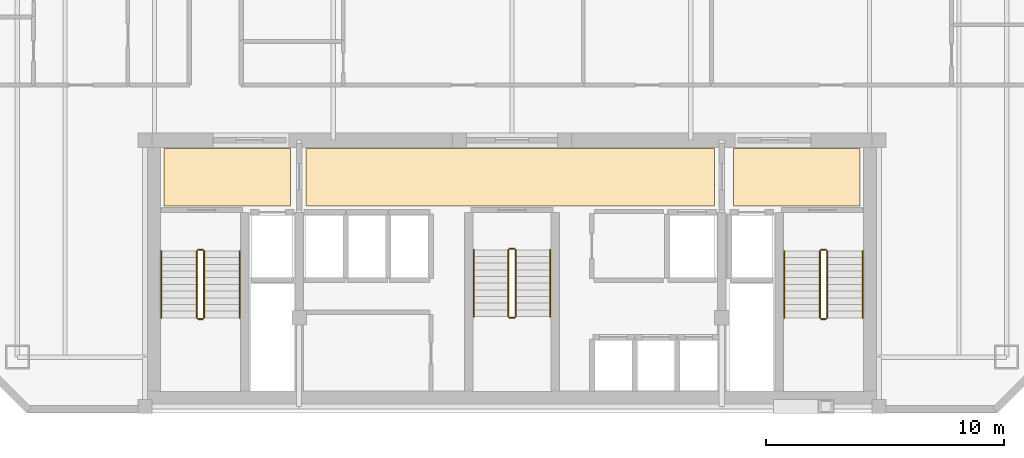
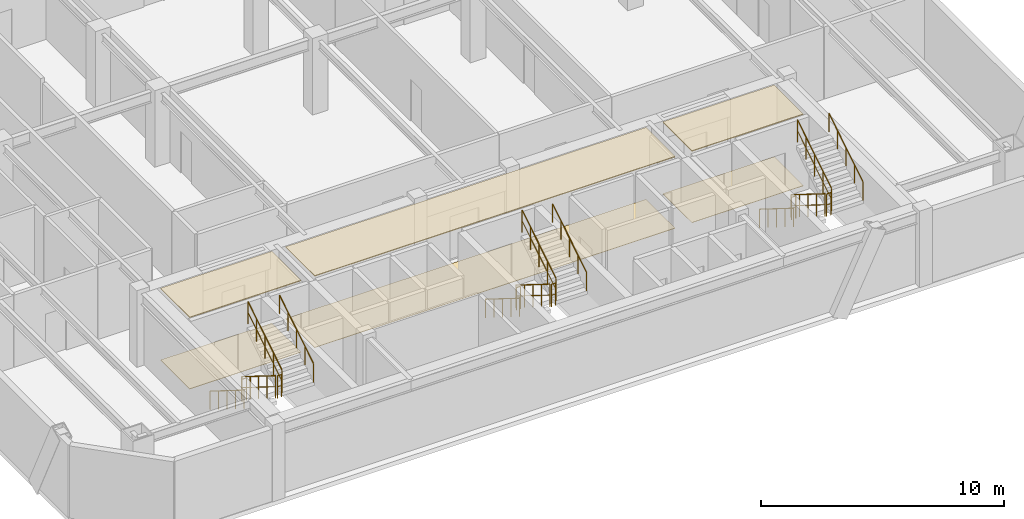
# One storey, part 7 of 7: 18 railings, 6 coverings.
"""IFC4 building model written with IfcOpenShell, lengths in metres."""

from ifc_helpers import new_model, si_unit, direction, frame, origin, origin_2d, place, context, subcontext, project, spatial, polyline, circle, outline, extrude, material, layer, layer_set, type_object, element, save


model = new_model("IFC4")

# Units and contexts
model_context = context("Model", 3, precision=1e-05, world=origin(), true_north=direction((0.0, 1.0)))
body_context = subcontext(model_context, "Body", "Model", "MODEL_VIEW")
ifc_project = project(units=[si_unit("LENGTHUNIT", "METRE"), si_unit("AREAUNIT", "SQUARE_METRE"), si_unit("VOLUMEUNIT", "CUBIC_METRE"), si_unit("PLANEANGLEUNIT", "RADIAN"), si_unit("MASSUNIT", "GRAM", prefix="KILO")], contexts=[model_context])

# Site, building, storey
site_placement = place(None, origin())
site = spatial("IfcSite", under=ifc_project, at=site_placement, CompositionType="ELEMENT")
building_placement = place(site_placement, origin())
building = spatial("IfcBuilding", under=site, at=building_placement, Name="Ventersveld Concourse Tower", CompositionType="ELEMENT")
storey_placement = place(building_placement, frame((0.0, 0.0, 211.85009765625)))
storey = spatial("IfcBuildingStorey", under=building, at=storey_placement, Name="L52", CompositionType="ELEMENT", Elevation=211.85009765625)

# Coverings
ifc_material_1 = material(Name="Mineral-fibre acoustic ceiling tile", Category="gypsum")
ifc_layer_1 = layer(ifc_material_1, 0.0400390625)
ifc_layer_set_1 = layer_set([ifc_layer_1], Name="Mineral-fibre acoustic ceiling tile")
covering_type_1 = type_object("IfcCoveringType", Name="COV-CEIL-ACOUSTIC", PredefinedType="CEILING", material=ifc_layer_set_1)
covering_1_placement = place(storey_placement, frame((0.0, 0.0, 3.58984375)))
element("IfcCovering", 1, at=covering_1_placement, inside=storey, type_object=covering_type_1, Name="L52 North Lift Lobby Acoustic Ceiling", PredefinedType="CEILING", context=body_context, shape_type="SweptSolid", body=[
    extrude(outline(polyline([(20.10009765625, 8.699951171875), (37.25, 8.699951171875), (37.25, 11.10009765625), (20.10009765625, 11.10009765625), (20.10009765625, 8.699951171875)])), origin(), (0.0, 0.0, 1.0), 0.0400390625),
])
covering_2_placement = place(storey_placement, frame((0.0, 0.0, 3.58984375)))
element("IfcCovering", 2, at=covering_2_placement, inside=storey, type_object=covering_type_1, Name="L52 West Firefighting Lobby Acoustic Ceiling", PredefinedType="CEILING", context=body_context, shape_type="SweptSolid", body=[
    extrude(outline(polyline([(14.14990234375, 8.699951171875), (19.449951171875, 8.699951171875), (19.449951171875, 11.10009765625), (14.14990234375, 11.10009765625), (14.14990234375, 8.699951171875)])), origin(), (0.0, 0.0, 1.0), 0.0400390625),
])
covering_3_placement = place(storey_placement, frame((0.0, 0.0, 3.58984375)))
element("IfcCovering", 3, at=covering_3_placement, inside=storey, type_object=covering_type_1, Name="L52 East Firefighting Lobby Acoustic Ceiling", PredefinedType="CEILING", context=body_context, shape_type="SweptSolid", body=[
    extrude(outline(polyline([(38.050048828125, 8.699951171875), (43.35009765625, 8.699951171875), (43.35009765625, 11.10009765625), (38.050048828125, 11.10009765625), (38.050048828125, 8.699951171875)])), origin(), (0.0, 0.0, 1.0), 0.0400390625),
])
ifc_material_2 = material(Name="Polished Highveld granite terrazzo", Category="masonry")
ifc_layer_2 = layer(ifc_material_2, 0.02001953125)
ifc_layer_set_2 = layer_set([ifc_layer_2], Name="Polished Highveld granite terrazzo")
covering_type_2 = type_object("IfcCoveringType", Name="COV-FLOOR-TERRAZZO", PredefinedType="FLOORING", material=ifc_layer_set_2)
covering_4_placement = place(storey_placement, origin())
element("IfcCovering", 4, at=covering_4_placement, inside=storey, type_object=covering_type_2, Name="L52 North Lift Lobby Terrazzo Flooring", PredefinedType="FLOORING", context=body_context, shape_type="SweptSolid", body=[
    extrude(outline(polyline([(20.10009765625, 8.699951171875), (37.25, 8.699951171875), (37.25, 11.10009765625), (20.10009765625, 11.10009765625), (20.10009765625, 8.699951171875)])), origin(), (0.0, 0.0, 1.0), 0.02001953125),
])
covering_5_placement = place(storey_placement, origin())
element("IfcCovering", 5, at=covering_5_placement, inside=storey, type_object=covering_type_2, Name="L52 West Firefighting Lobby Terrazzo Flooring", PredefinedType="FLOORING", context=body_context, shape_type="SweptSolid", body=[
    extrude(outline(polyline([(14.14990234375, 8.699951171875), (19.449951171875, 8.699951171875), (19.449951171875, 11.10009765625), (14.14990234375, 11.10009765625), (14.14990234375, 8.699951171875)])), origin(), (0.0, 0.0, 1.0), 0.02001953125),
])
covering_6_placement = place(storey_placement, origin())
element("IfcCovering", 6, at=covering_6_placement, inside=storey, type_object=covering_type_2, Name="L52 East Firefighting Lobby Terrazzo Flooring", PredefinedType="FLOORING", context=body_context, shape_type="SweptSolid", body=[
    extrude(outline(polyline([(38.050048828125, 8.699951171875), (43.35009765625, 8.699951171875), (43.35009765625, 11.10009765625), (38.050048828125, 11.10009765625), (38.050048828125, 8.699951171875)])), origin(), (0.0, 0.0, 1.0), 0.02001953125),
])

# Railings
ifc_material_3 = material(Name="Brushed stainless steel 316", Category="steel")
railing_type_1 = type_object("IfcRailingType", Name="GD-BAL-115", PredefinedType="GUARDRAIL", material=ifc_material_3)
railing_1_placement = place(storey_placement, frame((15.530029296875, 6.800048828125, 0.1748046875)))
element("IfcRailing", 7, at=railing_1_placement, inside=storey, type_object=railing_type_1, Name="L52 ST-01 stair guard 1", PredefinedType="GUARDRAIL", context=body_context, shape_type="SweptSolid", body=[
    extrude(circle(Radius=0.02392578125, at=origin_2d()), frame((0.0, 0.0, 1.1259765625), z_axis=(0.0, -0.848002457836, 0.529992293815), x_axis=(1.0, 0.0, 0.0)), (0.0, 0.0, 1.0), 3.302001953125),
    extrude(circle(Radius=0.01611328125, at=origin_2d()), frame((0.0, 0.0, 0.574951171875), z_axis=(0.0, -0.848002457836, 0.529992293815), x_axis=(1.0, 0.0, 0.0)), (0.0, 0.0, 1.0), 3.302001953125),
    extrude(circle(Radius=0.02099609375, at=origin_2d()), origin(), (0.0, 0.0, 1.0), 1.101806640625),
    extrude(circle(Radius=0.02099609375, at=origin_2d()), frame((0.0, -0.699951171875, 0.4375)), (0.0, 0.0, 1.0), 1.101806640625),
    extrude(circle(Radius=0.02099609375, at=origin_2d()), frame((0.0, -1.39990234375, 0.875)), (0.0, 0.0, 1.0), 1.101806640625),
    extrude(circle(Radius=0.02099609375, at=origin_2d()), frame((0.0, -2.10009765625, 1.3125)), (0.0, 0.0, 1.0), 1.101806640625),
    extrude(circle(Radius=0.02099609375, at=origin_2d()), frame((0.0, -2.800048828125, 1.75)), (0.0, 0.0, 1.0), 1.101806640625),
])
railing_2_placement = place(storey_placement, frame((15.580078125, 3.949951171875, 1.9248046875)))
element("IfcRailing", 8, at=railing_2_placement, inside=storey, type_object=railing_type_1, Name="L52 ST-01 stair guard 2", PredefinedType="GUARDRAIL", context=body_context, shape_type="SweptSolid", body=[
    extrude(circle(Radius=0.02392578125, at=origin_2d()), frame((0.0, 0.0, 1.1259765625), z_axis=(1.0, 0.0, 0.0), x_axis=(0.0, 1.0, 0.0)), (0.0, 0.0, 1.0), 0.199951171875),
    extrude(circle(Radius=0.01611328125, at=origin_2d()), frame((0.0, 0.0, 0.574951171875), z_axis=(1.0, 0.0, 0.0), x_axis=(0.0, 1.0, 0.0)), (0.0, 0.0, 1.0), 0.199951171875),
    extrude(circle(Radius=0.02099609375, at=origin_2d()), origin(), (0.0, 0.0, 1.0), 1.101806640625),
    extrude(circle(Radius=0.02099609375, at=origin_2d()), frame((0.199951171875, 0.0, 0.0)), (0.0, 0.0, 1.0), 1.101806640625),
])
railing_3_placement = place(storey_placement, frame((15.830078125, 4.0, 2.099853515625)))
element("IfcRailing", 9, at=railing_3_placement, inside=storey, type_object=railing_type_1, Name="L52 ST-01 stair guard 3", PredefinedType="GUARDRAIL", context=body_context, shape_type="SweptSolid", body=[
    extrude(circle(Radius=0.02392578125, at=origin_2d()), frame((0.0, 0.0, 1.1259765625), z_axis=(0.0, 0.848002457836, 0.529992293815), x_axis=(-1.0, 0.0, 0.0)), (0.0, 0.0, 1.0), 3.302001953125),
    extrude(circle(Radius=0.01611328125, at=origin_2d()), frame((0.0, 0.0, 0.574951171875), z_axis=(0.0, 0.848002457836, 0.529992293815), x_axis=(-1.0, 0.0, 0.0)), (0.0, 0.0, 1.0), 3.302001953125),
    extrude(circle(Radius=0.02099609375, at=origin_2d()), origin(), (0.0, 0.0, 1.0), 1.101806640625),
    extrude(circle(Radius=0.02099609375, at=origin_2d()), frame((0.0, 0.699951171875, 0.4375)), (0.0, 0.0, 1.0), 1.101806640625),
    extrude(circle(Radius=0.02099609375, at=origin_2d()), frame((0.0, 1.39990234375, 0.875)), (0.0, 0.0, 1.0), 1.101806640625),
    extrude(circle(Radius=0.02099609375, at=origin_2d()), frame((0.0, 2.10009765625, 1.3125)), (0.0, 0.0, 1.0), 1.101806640625),
    extrude(circle(Radius=0.02099609375, at=origin_2d()), frame((0.0, 2.800048828125, 1.75)), (0.0, 0.0, 1.0), 1.101806640625),
])
railing_4_placement = place(storey_placement, frame((15.580078125, 6.85009765625, 0.0)))
element("IfcRailing", 10, at=railing_4_placement, inside=storey, type_object=railing_type_1, Name="L52 ST-01 stair guard 4", PredefinedType="GUARDRAIL", context=body_context, shape_type="SweptSolid", body=[
    extrude(circle(Radius=0.02392578125, at=origin_2d()), frame((0.0, 0.0, 1.1259765625), z_axis=(1.0, 0.0, 0.0), x_axis=(0.0, 1.0, 0.0)), (0.0, 0.0, 1.0), 0.199951171875),
    extrude(circle(Radius=0.01611328125, at=origin_2d()), frame((0.0, 0.0, 0.574951171875), z_axis=(1.0, 0.0, 0.0), x_axis=(0.0, 1.0, 0.0)), (0.0, 0.0, 1.0), 0.199951171875),
    extrude(circle(Radius=0.02099609375, at=origin_2d()), origin(), (0.0, 0.0, 1.0), 1.101806640625),
    extrude(circle(Radius=0.02099609375, at=origin_2d()), frame((0.199951171875, 0.0, 0.0)), (0.0, 0.0, 1.0), 1.101806640625),
])
railing_5_placement = place(storey_placement, frame((41.669921875, 6.800048828125, 0.1748046875)))
element("IfcRailing", 11, at=railing_5_placement, inside=storey, type_object=railing_type_1, Name="L52 ST-02 stair guard 1", PredefinedType="GUARDRAIL", context=body_context, shape_type="SweptSolid", body=[
    extrude(circle(Radius=0.02392578125, at=origin_2d()), frame((0.0, 0.0, 1.1259765625), z_axis=(0.0, -0.848002457836, 0.529992293815), x_axis=(1.0, 0.0, 0.0)), (0.0, 0.0, 1.0), 3.302001953125),
    extrude(circle(Radius=0.01611328125, at=origin_2d()), frame((0.0, 0.0, 0.574951171875), z_axis=(0.0, -0.848002457836, 0.529992293815), x_axis=(1.0, 0.0, 0.0)), (0.0, 0.0, 1.0), 3.302001953125),
    extrude(circle(Radius=0.02099609375, at=origin_2d()), origin(), (0.0, 0.0, 1.0), 1.101806640625),
    extrude(circle(Radius=0.02099609375, at=origin_2d()), frame((0.0, -0.699951171875, 0.4375)), (0.0, 0.0, 1.0), 1.101806640625),
    extrude(circle(Radius=0.02099609375, at=origin_2d()), frame((0.0, -1.39990234375, 0.875)), (0.0, 0.0, 1.0), 1.101806640625),
    extrude(circle(Radius=0.02099609375, at=origin_2d()), frame((0.0, -2.10009765625, 1.3125)), (0.0, 0.0, 1.0), 1.101806640625),
    extrude(circle(Radius=0.02099609375, at=origin_2d()), frame((0.0, -2.800048828125, 1.75)), (0.0, 0.0, 1.0), 1.101806640625),
])
railing_6_placement = place(storey_placement, frame((41.719970703125, 3.949951171875, 1.9248046875)))
element("IfcRailing", 12, at=railing_6_placement, inside=storey, type_object=railing_type_1, Name="L52 ST-02 stair guard 2", PredefinedType="GUARDRAIL", context=body_context, shape_type="SweptSolid", body=[
    extrude(circle(Radius=0.02392578125, at=origin_2d()), frame((0.0, 0.0, 1.1259765625), z_axis=(1.0, 0.0, 0.0), x_axis=(0.0, 1.0, 0.0)), (0.0, 0.0, 1.0), 0.199951171875),
    extrude(circle(Radius=0.01611328125, at=origin_2d()), frame((0.0, 0.0, 0.574951171875), z_axis=(1.0, 0.0, 0.0), x_axis=(0.0, 1.0, 0.0)), (0.0, 0.0, 1.0), 0.199951171875),
    extrude(circle(Radius=0.02099609375, at=origin_2d()), origin(), (0.0, 0.0, 1.0), 1.101806640625),
    extrude(circle(Radius=0.02099609375, at=origin_2d()), frame((0.199951171875, 0.0, 0.0)), (0.0, 0.0, 1.0), 1.101806640625),
])
railing_7_placement = place(storey_placement, frame((41.969970703125, 4.0, 2.099853515625)))
element("IfcRailing", 13, at=railing_7_placement, inside=storey, type_object=railing_type_1, Name="L52 ST-02 stair guard 3", PredefinedType="GUARDRAIL", context=body_context, shape_type="SweptSolid", body=[
    extrude(circle(Radius=0.02392578125, at=origin_2d()), frame((0.0, 0.0, 1.1259765625), z_axis=(0.0, 0.848002457836, 0.529992293815), x_axis=(-1.0, 0.0, 0.0)), (0.0, 0.0, 1.0), 3.302001953125),
    extrude(circle(Radius=0.01611328125, at=origin_2d()), frame((0.0, 0.0, 0.574951171875), z_axis=(0.0, 0.848002457836, 0.529992293815), x_axis=(-1.0, 0.0, 0.0)), (0.0, 0.0, 1.0), 3.302001953125),
    extrude(circle(Radius=0.02099609375, at=origin_2d()), origin(), (0.0, 0.0, 1.0), 1.101806640625),
    extrude(circle(Radius=0.02099609375, at=origin_2d()), frame((0.0, 0.699951171875, 0.4375)), (0.0, 0.0, 1.0), 1.101806640625),
    extrude(circle(Radius=0.02099609375, at=origin_2d()), frame((0.0, 1.39990234375, 0.875)), (0.0, 0.0, 1.0), 1.101806640625),
    extrude(circle(Radius=0.02099609375, at=origin_2d()), frame((0.0, 2.10009765625, 1.3125)), (0.0, 0.0, 1.0), 1.101806640625),
    extrude(circle(Radius=0.02099609375, at=origin_2d()), frame((0.0, 2.800048828125, 1.75)), (0.0, 0.0, 1.0), 1.101806640625),
])
railing_8_placement = place(storey_placement, frame((41.719970703125, 6.85009765625, 0.0)))
element("IfcRailing", 14, at=railing_8_placement, inside=storey, type_object=railing_type_1, Name="L52 ST-02 stair guard 4", PredefinedType="GUARDRAIL", context=body_context, shape_type="SweptSolid", body=[
    extrude(circle(Radius=0.02392578125, at=origin_2d()), frame((0.0, 0.0, 1.1259765625), z_axis=(1.0, 0.0, 0.0), x_axis=(0.0, 1.0, 0.0)), (0.0, 0.0, 1.0), 0.199951171875),
    extrude(circle(Radius=0.01611328125, at=origin_2d()), frame((0.0, 0.0, 0.574951171875), z_axis=(1.0, 0.0, 0.0), x_axis=(0.0, 1.0, 0.0)), (0.0, 0.0, 1.0), 0.199951171875),
    extrude(circle(Radius=0.02099609375, at=origin_2d()), origin(), (0.0, 0.0, 1.0), 1.101806640625),
    extrude(circle(Radius=0.02099609375, at=origin_2d()), frame((0.199951171875, 0.0, 0.0)), (0.0, 0.0, 1.0), 1.101806640625),
])
railing_9_placement = place(storey_placement, frame((28.60009765625, 6.85009765625, 0.1748046875)))
element("IfcRailing", 15, at=railing_9_placement, inside=storey, type_object=railing_type_1, Name="L52 ST-03 stair guard 1", PredefinedType="GUARDRAIL", context=body_context, shape_type="SweptSolid", body=[
    extrude(circle(Radius=0.02392578125, at=origin_2d()), frame((0.0, 0.0, 1.1259765625), z_axis=(0.0, -0.848002457836, 0.529992293815), x_axis=(1.0, 0.0, 0.0)), (0.0, 0.0, 1.0), 3.302001953125),
    extrude(circle(Radius=0.01611328125, at=origin_2d()), frame((0.0, 0.0, 0.574951171875), z_axis=(0.0, -0.848002457836, 0.529992293815), x_axis=(1.0, 0.0, 0.0)), (0.0, 0.0, 1.0), 3.302001953125),
    extrude(circle(Radius=0.02099609375, at=origin_2d()), origin(), (0.0, 0.0, 1.0), 1.101806640625),
    extrude(circle(Radius=0.02099609375, at=origin_2d()), frame((0.0, -0.699951171875, 0.4375)), (0.0, 0.0, 1.0), 1.101806640625),
    extrude(circle(Radius=0.02099609375, at=origin_2d()), frame((0.0, -1.39990234375, 0.875)), (0.0, 0.0, 1.0), 1.101806640625),
    extrude(circle(Radius=0.02099609375, at=origin_2d()), frame((0.0, -2.10009765625, 1.3125)), (0.0, 0.0, 1.0), 1.101806640625),
    extrude(circle(Radius=0.02099609375, at=origin_2d()), frame((0.0, -2.800048828125, 1.75)), (0.0, 0.0, 1.0), 1.101806640625),
])
railing_10_placement = place(storey_placement, frame((28.64990234375, 4.0, 1.9248046875)))
element("IfcRailing", 16, at=railing_10_placement, inside=storey, type_object=railing_type_1, Name="L52 ST-03 stair guard 2", PredefinedType="GUARDRAIL", context=body_context, shape_type="SweptSolid", body=[
    extrude(circle(Radius=0.02392578125, at=origin_2d()), frame((0.0, 0.0, 1.1259765625), z_axis=(1.0, 0.0, 0.0), x_axis=(0.0, 1.0, 0.0)), (0.0, 0.0, 1.0), 0.2001953125),
    extrude(circle(Radius=0.01611328125, at=origin_2d()), frame((0.0, 0.0, 0.574951171875), z_axis=(1.0, 0.0, 0.0), x_axis=(0.0, 1.0, 0.0)), (0.0, 0.0, 1.0), 0.2001953125),
    extrude(circle(Radius=0.02099609375, at=origin_2d()), origin(), (0.0, 0.0, 1.0), 1.101806640625),
    extrude(circle(Radius=0.02099609375, at=origin_2d()), frame((0.2001953125, 0.0, 0.0)), (0.0, 0.0, 1.0), 1.101806640625),
])
railing_11_placement = place(storey_placement, frame((28.89990234375, 4.050048828125, 2.099853515625)))
element("IfcRailing", 17, at=railing_11_placement, inside=storey, type_object=railing_type_1, Name="L52 ST-03 stair guard 3", PredefinedType="GUARDRAIL", context=body_context, shape_type="SweptSolid", body=[
    extrude(circle(Radius=0.02392578125, at=origin_2d()), frame((0.0, 0.0, 1.1259765625), z_axis=(0.0, 0.848002457836, 0.529992293815), x_axis=(-1.0, 0.0, 0.0)), (0.0, 0.0, 1.0), 3.302001953125),
    extrude(circle(Radius=0.01611328125, at=origin_2d()), frame((0.0, 0.0, 0.574951171875), z_axis=(0.0, 0.848002457836, 0.529992293815), x_axis=(-1.0, 0.0, 0.0)), (0.0, 0.0, 1.0), 3.302001953125),
    extrude(circle(Radius=0.02099609375, at=origin_2d()), origin(), (0.0, 0.0, 1.0), 1.101806640625),
    extrude(circle(Radius=0.02099609375, at=origin_2d()), frame((0.0, 0.699951171875, 0.4375)), (0.0, 0.0, 1.0), 1.101806640625),
    extrude(circle(Radius=0.02099609375, at=origin_2d()), frame((0.0, 1.39990234375, 0.875)), (0.0, 0.0, 1.0), 1.101806640625),
    extrude(circle(Radius=0.02099609375, at=origin_2d()), frame((0.0, 2.10009765625, 1.3125)), (0.0, 0.0, 1.0), 1.101806640625),
    extrude(circle(Radius=0.02099609375, at=origin_2d()), frame((0.0, 2.800048828125, 1.75)), (0.0, 0.0, 1.0), 1.101806640625),
])
railing_12_placement = place(storey_placement, frame((28.64990234375, 6.89990234375, 0.0)))
element("IfcRailing", 18, at=railing_12_placement, inside=storey, type_object=railing_type_1, Name="L52 ST-03 stair guard 4", PredefinedType="GUARDRAIL", context=body_context, shape_type="SweptSolid", body=[
    extrude(circle(Radius=0.02392578125, at=origin_2d()), frame((0.0, 0.0, 1.1259765625), z_axis=(1.0, 0.0, 0.0), x_axis=(0.0, 1.0, 0.0)), (0.0, 0.0, 1.0), 0.2001953125),
    extrude(circle(Radius=0.01611328125, at=origin_2d()), frame((0.0, 0.0, 0.574951171875), z_axis=(1.0, 0.0, 0.0), x_axis=(0.0, 1.0, 0.0)), (0.0, 0.0, 1.0), 0.2001953125),
    extrude(circle(Radius=0.02099609375, at=origin_2d()), origin(), (0.0, 0.0, 1.0), 1.101806640625),
    extrude(circle(Radius=0.02099609375, at=origin_2d()), frame((0.2001953125, 0.0, 0.0)), (0.0, 0.0, 1.0), 1.101806640625),
])
railing_type_2 = type_object("IfcRailingType", Name="HR-RMP-095", PredefinedType="HANDRAIL", material=ifc_material_3)
railing_13_placement = place(storey_placement, frame((14.030029296875, 6.800048828125, 0.1748046875)))
element("IfcRailing", 19, at=railing_13_placement, inside=storey, type_object=railing_type_2, Name="L52 ST-01 stair handrail 1", PredefinedType="HANDRAIL", context=body_context, shape_type="SweptSolid", body=[
    extrude(circle(Radius=0.02392578125, at=origin_2d()), frame((0.0, 0.0, 0.92578125), z_axis=(0.0, -0.848002457836, 0.529992293815), x_axis=(1.0, 0.0, 0.0)), (0.0, 0.0, 1.0), 3.302001953125),
    extrude(circle(Radius=0.02099609375, at=origin_2d()), origin(), (0.0, 0.0, 1.0), 0.90185546875),
    extrude(circle(Radius=0.02099609375, at=origin_2d()), frame((0.0, -0.699951171875, 0.4375)), (0.0, 0.0, 1.0), 0.90185546875),
    extrude(circle(Radius=0.02099609375, at=origin_2d()), frame((0.0, -1.39990234375, 0.875)), (0.0, 0.0, 1.0), 0.90185546875),
    extrude(circle(Radius=0.02099609375, at=origin_2d()), frame((0.0, -2.10009765625, 1.3125)), (0.0, 0.0, 1.0), 0.90185546875),
    extrude(circle(Radius=0.02099609375, at=origin_2d()), frame((0.0, -2.800048828125, 1.75)), (0.0, 0.0, 1.0), 0.90185546875),
])
railing_14_placement = place(storey_placement, frame((17.330078125, 4.0, 2.099853515625)))
element("IfcRailing", 20, at=railing_14_placement, inside=storey, type_object=railing_type_2, Name="L52 ST-01 stair handrail 2", PredefinedType="HANDRAIL", context=body_context, shape_type="SweptSolid", body=[
    extrude(circle(Radius=0.02392578125, at=origin_2d()), frame((0.0, 0.0, 0.92578125), z_axis=(0.0, 0.848002457836, 0.529992293815), x_axis=(-1.0, 0.0, 0.0)), (0.0, 0.0, 1.0), 3.302001953125),
    extrude(circle(Radius=0.02099609375, at=origin_2d()), origin(), (0.0, 0.0, 1.0), 0.90185546875),
    extrude(circle(Radius=0.02099609375, at=origin_2d()), frame((0.0, 0.699951171875, 0.4375)), (0.0, 0.0, 1.0), 0.90185546875),
    extrude(circle(Radius=0.02099609375, at=origin_2d()), frame((0.0, 1.39990234375, 0.875)), (0.0, 0.0, 1.0), 0.90185546875),
    extrude(circle(Radius=0.02099609375, at=origin_2d()), frame((0.0, 2.10009765625, 1.3125)), (0.0, 0.0, 1.0), 0.90185546875),
    extrude(circle(Radius=0.02099609375, at=origin_2d()), frame((0.0, 2.800048828125, 1.75)), (0.0, 0.0, 1.0), 0.90185546875),
])
railing_15_placement = place(storey_placement, frame((40.169921875, 6.800048828125, 0.1748046875)))
element("IfcRailing", 21, at=railing_15_placement, inside=storey, type_object=railing_type_2, Name="L52 ST-02 stair handrail 1", PredefinedType="HANDRAIL", context=body_context, shape_type="SweptSolid", body=[
    extrude(circle(Radius=0.02392578125, at=origin_2d()), frame((0.0, 0.0, 0.92578125), z_axis=(0.0, -0.848002457836, 0.529992293815), x_axis=(1.0, 0.0, 0.0)), (0.0, 0.0, 1.0), 3.302001953125),
    extrude(circle(Radius=0.02099609375, at=origin_2d()), origin(), (0.0, 0.0, 1.0), 0.90185546875),
    extrude(circle(Radius=0.02099609375, at=origin_2d()), frame((0.0, -0.699951171875, 0.4375)), (0.0, 0.0, 1.0), 0.90185546875),
    extrude(circle(Radius=0.02099609375, at=origin_2d()), frame((0.0, -1.39990234375, 0.875)), (0.0, 0.0, 1.0), 0.90185546875),
    extrude(circle(Radius=0.02099609375, at=origin_2d()), frame((0.0, -2.10009765625, 1.3125)), (0.0, 0.0, 1.0), 0.90185546875),
    extrude(circle(Radius=0.02099609375, at=origin_2d()), frame((0.0, -2.800048828125, 1.75)), (0.0, 0.0, 1.0), 0.90185546875),
])
railing_16_placement = place(storey_placement, frame((43.469970703125, 4.0, 2.099853515625)))
element("IfcRailing", 22, at=railing_16_placement, inside=storey, type_object=railing_type_2, Name="L52 ST-02 stair handrail 2", PredefinedType="HANDRAIL", context=body_context, shape_type="SweptSolid", body=[
    extrude(circle(Radius=0.02392578125, at=origin_2d()), frame((0.0, 0.0, 0.92578125), z_axis=(0.0, 0.848002457836, 0.529992293815), x_axis=(-1.0, 0.0, 0.0)), (0.0, 0.0, 1.0), 3.302001953125),
    extrude(circle(Radius=0.02099609375, at=origin_2d()), origin(), (0.0, 0.0, 1.0), 0.90185546875),
    extrude(circle(Radius=0.02099609375, at=origin_2d()), frame((0.0, 0.699951171875, 0.4375)), (0.0, 0.0, 1.0), 0.90185546875),
    extrude(circle(Radius=0.02099609375, at=origin_2d()), frame((0.0, 1.39990234375, 0.875)), (0.0, 0.0, 1.0), 0.90185546875),
    extrude(circle(Radius=0.02099609375, at=origin_2d()), frame((0.0, 2.10009765625, 1.3125)), (0.0, 0.0, 1.0), 0.90185546875),
    extrude(circle(Radius=0.02099609375, at=origin_2d()), frame((0.0, 2.800048828125, 1.75)), (0.0, 0.0, 1.0), 0.90185546875),
])
railing_17_placement = place(storey_placement, frame((27.14990234375, 6.85009765625, 0.1748046875)))
element("IfcRailing", 23, at=railing_17_placement, inside=storey, type_object=railing_type_2, Name="L52 ST-03 stair handrail 1", PredefinedType="HANDRAIL", context=body_context, shape_type="SweptSolid", body=[
    extrude(circle(Radius=0.02392578125, at=origin_2d()), frame((0.0, 0.0, 0.92578125), z_axis=(0.0, -0.848002457836, 0.529992293815), x_axis=(1.0, 0.0, 0.0)), (0.0, 0.0, 1.0), 3.302001953125),
    extrude(circle(Radius=0.02099609375, at=origin_2d()), origin(), (0.0, 0.0, 1.0), 0.90185546875),
    extrude(circle(Radius=0.02099609375, at=origin_2d()), frame((0.0, -0.699951171875, 0.4375)), (0.0, 0.0, 1.0), 0.90185546875),
    extrude(circle(Radius=0.02099609375, at=origin_2d()), frame((0.0, -1.39990234375, 0.875)), (0.0, 0.0, 1.0), 0.90185546875),
    extrude(circle(Radius=0.02099609375, at=origin_2d()), frame((0.0, -2.10009765625, 1.3125)), (0.0, 0.0, 1.0), 0.90185546875),
    extrude(circle(Radius=0.02099609375, at=origin_2d()), frame((0.0, -2.800048828125, 1.75)), (0.0, 0.0, 1.0), 0.90185546875),
])
railing_18_placement = place(storey_placement, frame((30.35009765625, 4.050048828125, 2.099853515625)))
element("IfcRailing", 24, at=railing_18_placement, inside=storey, type_object=railing_type_2, Name="L52 ST-03 stair handrail 2", PredefinedType="HANDRAIL", context=body_context, shape_type="SweptSolid", body=[
    extrude(circle(Radius=0.02392578125, at=origin_2d()), frame((0.0, 0.0, 0.92578125), z_axis=(0.0, 0.848002457836, 0.529992293815), x_axis=(-1.0, 0.0, 0.0)), (0.0, 0.0, 1.0), 3.302001953125),
    extrude(circle(Radius=0.02099609375, at=origin_2d()), origin(), (0.0, 0.0, 1.0), 0.90185546875),
    extrude(circle(Radius=0.02099609375, at=origin_2d()), frame((0.0, 0.699951171875, 0.4375)), (0.0, 0.0, 1.0), 0.90185546875),
    extrude(circle(Radius=0.02099609375, at=origin_2d()), frame((0.0, 1.39990234375, 0.875)), (0.0, 0.0, 1.0), 0.90185546875),
    extrude(circle(Radius=0.02099609375, at=origin_2d()), frame((0.0, 2.10009765625, 1.3125)), (0.0, 0.0, 1.0), 0.90185546875),
    extrude(circle(Radius=0.02099609375, at=origin_2d()), frame((0.0, 2.800048828125, 1.75)), (0.0, 0.0, 1.0), 0.90185546875),
])

save(model, "model.ifc")
